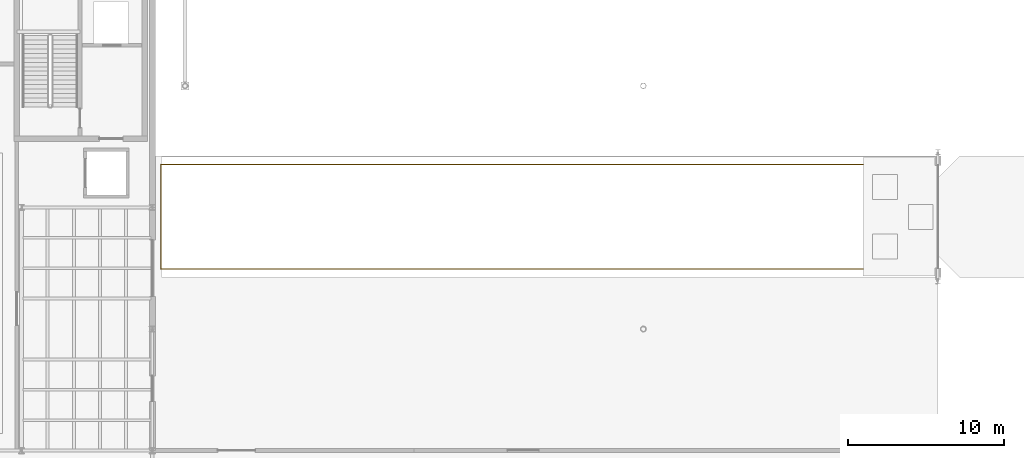
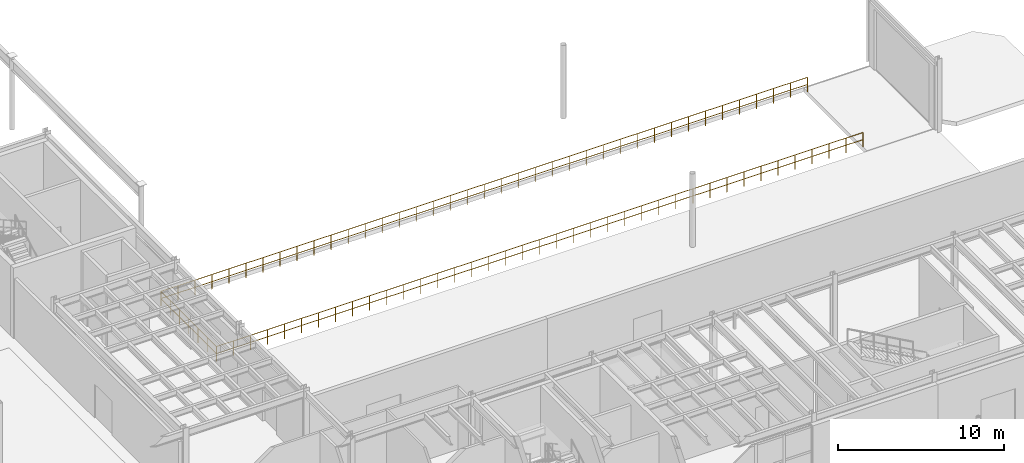
# One storey, part 83 of 87: 3 railings.
"""IFC4 building model written with IfcOpenShell, lengths in metres."""

from ifc_helpers import new_model, si_unit, direction, frame, origin, origin_2d, place, context, subcontext, project, spatial, circle, extrude, material, layer, layer_set, type_object, element, save


model = new_model("IFC4")

# Units and contexts
model_context = context("Model", 3, precision=1e-05, world=origin(), true_north=direction((0.0, 1.0)))
body_context = subcontext(model_context, "Body", "Model", "MODEL_VIEW")
ifc_project = project(units=[si_unit("LENGTHUNIT", "METRE"), si_unit("AREAUNIT", "SQUARE_METRE"), si_unit("VOLUMEUNIT", "CUBIC_METRE"), si_unit("PLANEANGLEUNIT", "RADIAN"), si_unit("MASSUNIT", "GRAM", prefix="KILO")], contexts=[model_context])

# Site, building, storey
site_placement = place(None, origin())
site = spatial("IfcSite", under=ifc_project, at=site_placement, CompositionType="ELEMENT")
building_placement = place(site_placement, origin())
building = spatial("IfcBuilding", under=site, at=building_placement, Name="Selat Folded Stagehouse", CompositionType="ELEMENT")
storey_placement = place(building_placement, origin())
storey = spatial("IfcBuildingStorey", under=building, at=storey_placement, Name="L00", CompositionType="ELEMENT", Elevation=0.0)

# Railings
ifc_material = material(Name="Stainless steel and laminated glass", Category="steel")
ifc_layer = layer(ifc_material, 0.06005859375)
ifc_layer_set = layer_set([ifc_layer], Name="Stainless steel and laminated glass")
railing_type = type_object("IfcRailingType", Name="RLG-GUARD-1100", PredefinedType="GUARDRAIL", material=ifc_layer_set)
railing_1_placement = place(storey_placement, frame((112.800048828125, 41.75, 0.0)))
element("IfcRailing", 1, at=railing_1_placement, inside=storey, type_object=railing_type, Name="L00 protective guard railing 031", PredefinedType="GUARDRAIL", context=body_context, shape_type="SweptSolid", body=[
    extrude(circle(Radius=0.02392578125, at=origin_2d()), frame((0.0, 0.0, 1.076171875), z_axis=(-1.0, 0.0, 0.0), x_axis=(0.0, -1.0, 0.0)), (0.0, 0.0, 1.0), 45.050048828125),
    extrude(circle(Radius=0.02392578125, at=origin_2d()), frame((0.0, 0.0, 0.550048828125), z_axis=(-1.0, 0.0, 0.0), x_axis=(0.0, -1.0, 0.0)), (0.0, 0.0, 1.0), 45.050048828125),
    extrude(circle(Radius=0.02099609375, at=origin_2d()), origin(), (0.0, 0.0, 1.0), 1.052001953125),
    extrude(circle(Radius=0.02099609375, at=origin_2d()), frame((-1.185546875, 0.0, 0.0)), (0.0, 0.0, 1.0), 1.052001953125),
    extrude(circle(Radius=0.02099609375, at=origin_2d()), frame((-2.37109375, 0.0, 0.0)), (0.0, 0.0, 1.0), 1.052001953125),
    extrude(circle(Radius=0.02099609375, at=origin_2d()), frame((-3.556640625, 0.0, 0.0)), (0.0, 0.0, 1.0), 1.052001953125),
    extrude(circle(Radius=0.02099609375, at=origin_2d()), frame((-4.7421875, 0.0, 0.0)), (0.0, 0.0, 1.0), 1.052001953125),
    extrude(circle(Radius=0.02099609375, at=origin_2d()), frame((-5.927734375, 0.0, 0.0)), (0.0, 0.0, 1.0), 1.052001953125),
    extrude(circle(Radius=0.02099609375, at=origin_2d()), frame((-7.11328125, 0.0, 0.0)), (0.0, 0.0, 1.0), 1.052001953125),
    extrude(circle(Radius=0.02099609375, at=origin_2d()), frame((-8.298583984375, 0.0, 0.0)), (0.0, 0.0, 1.0), 1.052001953125),
    extrude(circle(Radius=0.02099609375, at=origin_2d()), frame((-9.484130859375, 0.0, 0.0)), (0.0, 0.0, 1.0), 1.052001953125),
    extrude(circle(Radius=0.02099609375, at=origin_2d()), frame((-10.669677734375, 0.0, 0.0)), (0.0, 0.0, 1.0), 1.052001953125),
    extrude(circle(Radius=0.02099609375, at=origin_2d()), frame((-11.855224609375, 0.0, 0.0)), (0.0, 0.0, 1.0), 1.052001953125),
    extrude(circle(Radius=0.02099609375, at=origin_2d()), frame((-13.040771484375, 0.0, 0.0)), (0.0, 0.0, 1.0), 1.052001953125),
    extrude(circle(Radius=0.02099609375, at=origin_2d()), frame((-14.226318359375, 0.0, 0.0)), (0.0, 0.0, 1.0), 1.052001953125),
    extrude(circle(Radius=0.02099609375, at=origin_2d()), frame((-15.411865234375, 0.0, 0.0)), (0.0, 0.0, 1.0), 1.052001953125),
    extrude(circle(Radius=0.02099609375, at=origin_2d()), frame((-16.597412109375, 0.0, 0.0)), (0.0, 0.0, 1.0), 1.052001953125),
    extrude(circle(Radius=0.02099609375, at=origin_2d()), frame((-17.782958984375, 0.0, 0.0)), (0.0, 0.0, 1.0), 1.052001953125),
    extrude(circle(Radius=0.02099609375, at=origin_2d()), frame((-18.968505859375, 0.0, 0.0)), (0.0, 0.0, 1.0), 1.052001953125),
    extrude(circle(Radius=0.02099609375, at=origin_2d()), frame((-20.154052734375, 0.0, 0.0)), (0.0, 0.0, 1.0), 1.052001953125),
    extrude(circle(Radius=0.02099609375, at=origin_2d()), frame((-21.339599609375, 0.0, 0.0)), (0.0, 0.0, 1.0), 1.052001953125),
    extrude(circle(Radius=0.02099609375, at=origin_2d()), frame((-22.52490234375, 0.0, 0.0)), (0.0, 0.0, 1.0), 1.052001953125),
    extrude(circle(Radius=0.02099609375, at=origin_2d()), frame((-23.71044921875, 0.0, 0.0)), (0.0, 0.0, 1.0), 1.052001953125),
    extrude(circle(Radius=0.02099609375, at=origin_2d()), frame((-24.89599609375, 0.0, 0.0)), (0.0, 0.0, 1.0), 1.052001953125),
    extrude(circle(Radius=0.02099609375, at=origin_2d()), frame((-26.08154296875, 0.0, 0.0)), (0.0, 0.0, 1.0), 1.052001953125),
    extrude(circle(Radius=0.02099609375, at=origin_2d()), frame((-27.26708984375, 0.0, 0.0)), (0.0, 0.0, 1.0), 1.052001953125),
    extrude(circle(Radius=0.02099609375, at=origin_2d()), frame((-28.45263671875, 0.0, 0.0)), (0.0, 0.0, 1.0), 1.052001953125),
    extrude(circle(Radius=0.02099609375, at=origin_2d()), frame((-29.63818359375, 0.0, 0.0)), (0.0, 0.0, 1.0), 1.052001953125),
    extrude(circle(Radius=0.02099609375, at=origin_2d()), frame((-30.82373046875, 0.0, 0.0)), (0.0, 0.0, 1.0), 1.052001953125),
    extrude(circle(Radius=0.02099609375, at=origin_2d()), frame((-32.00927734375, 0.0, 0.0)), (0.0, 0.0, 1.0), 1.052001953125),
    extrude(circle(Radius=0.02099609375, at=origin_2d()), frame((-33.19482421875, 0.0, 0.0)), (0.0, 0.0, 1.0), 1.052001953125),
    extrude(circle(Radius=0.02099609375, at=origin_2d()), frame((-34.38037109375, 0.0, 0.0)), (0.0, 0.0, 1.0), 1.052001953125),
    extrude(circle(Radius=0.02099609375, at=origin_2d()), frame((-35.56591796875, 0.0, 0.0)), (0.0, 0.0, 1.0), 1.052001953125),
    extrude(circle(Radius=0.02099609375, at=origin_2d()), frame((-36.75146484375, 0.0, 0.0)), (0.0, 0.0, 1.0), 1.052001953125),
    extrude(circle(Radius=0.02099609375, at=origin_2d()), frame((-37.936767578125, 0.0, 0.0)), (0.0, 0.0, 1.0), 1.052001953125),
    extrude(circle(Radius=0.02099609375, at=origin_2d()), frame((-39.122314453125, 0.0, 0.0)), (0.0, 0.0, 1.0), 1.052001953125),
    extrude(circle(Radius=0.02099609375, at=origin_2d()), frame((-40.307861328125, 0.0, 0.0)), (0.0, 0.0, 1.0), 1.052001953125),
    extrude(circle(Radius=0.02099609375, at=origin_2d()), frame((-41.493408203125, 0.0, 0.0)), (0.0, 0.0, 1.0), 1.052001953125),
    extrude(circle(Radius=0.02099609375, at=origin_2d()), frame((-42.678955078125, 0.0, 0.0)), (0.0, 0.0, 1.0), 1.052001953125),
    extrude(circle(Radius=0.02099609375, at=origin_2d()), frame((-43.864501953125, 0.0, 0.0)), (0.0, 0.0, 1.0), 1.052001953125),
    extrude(circle(Radius=0.02099609375, at=origin_2d()), frame((-45.050048828125, 0.0, 0.0)), (0.0, 0.0, 1.0), 1.052001953125),
])
railing_2_placement = place(storey_placement, frame((67.75, 41.75, 0.0)))
element("IfcRailing", 2, at=railing_2_placement, inside=storey, type_object=railing_type, Name="L00 protective guard railing 032", PredefinedType="GUARDRAIL", context=body_context, shape_type="SweptSolid", body=[
    extrude(circle(Radius=0.02392578125, at=origin_2d()), frame((0.0, 0.0, 1.076171875), z_axis=(0.0, -1.0, 0.0), x_axis=(1.0, 0.0, 0.0)), (0.0, 0.0, 1.0), 6.699951171875),
    extrude(circle(Radius=0.02392578125, at=origin_2d()), frame((0.0, 0.0, 0.550048828125), z_axis=(0.0, -1.0, 0.0), x_axis=(1.0, 0.0, 0.0)), (0.0, 0.0, 1.0), 6.699951171875),
    extrude(circle(Radius=0.02099609375, at=origin_2d()), origin(), (0.0, 0.0, 1.0), 1.052001953125),
    extrude(circle(Radius=0.02099609375, at=origin_2d()), frame((0.0, -1.11669921875, 0.0)), (0.0, 0.0, 1.0), 1.052001953125),
    extrude(circle(Radius=0.02099609375, at=origin_2d()), frame((0.0, -2.2333984375, 0.0)), (0.0, 0.0, 1.0), 1.052001953125),
    extrude(circle(Radius=0.02099609375, at=origin_2d()), frame((0.0, -3.35009765625, 0.0)), (0.0, 0.0, 1.0), 1.052001953125),
    extrude(circle(Radius=0.02099609375, at=origin_2d()), frame((0.0, -4.466552734375, 0.0)), (0.0, 0.0, 1.0), 1.052001953125),
    extrude(circle(Radius=0.02099609375, at=origin_2d()), frame((0.0, -5.583251953125, 0.0)), (0.0, 0.0, 1.0), 1.052001953125),
    extrude(circle(Radius=0.02099609375, at=origin_2d()), frame((0.0, -6.699951171875, 0.0)), (0.0, 0.0, 1.0), 1.052001953125),
])
railing_3_placement = place(storey_placement, frame((67.75, 35.050048828125, 0.0)))
element("IfcRailing", 3, at=railing_3_placement, inside=storey, type_object=railing_type, Name="L00 protective guard railing 033", PredefinedType="GUARDRAIL", context=body_context, shape_type="SweptSolid", body=[
    extrude(circle(Radius=0.02392578125, at=origin_2d()), frame((0.0, 0.0, 1.076171875), z_axis=(1.0, 0.0, 0.0), x_axis=(0.0, 1.0, 0.0)), (0.0, 0.0, 1.0), 45.050048828125),
    extrude(circle(Radius=0.02392578125, at=origin_2d()), frame((0.0, 0.0, 0.550048828125), z_axis=(1.0, 0.0, 0.0), x_axis=(0.0, 1.0, 0.0)), (0.0, 0.0, 1.0), 45.050048828125),
    extrude(circle(Radius=0.02099609375, at=origin_2d()), origin(), (0.0, 0.0, 1.0), 1.052001953125),
    extrude(circle(Radius=0.02099609375, at=origin_2d()), frame((1.185546875, 0.0, 0.0)), (0.0, 0.0, 1.0), 1.052001953125),
    extrude(circle(Radius=0.02099609375, at=origin_2d()), frame((2.37109375, 0.0, 0.0)), (0.0, 0.0, 1.0), 1.052001953125),
    extrude(circle(Radius=0.02099609375, at=origin_2d()), frame((3.556640625, 0.0, 0.0)), (0.0, 0.0, 1.0), 1.052001953125),
    extrude(circle(Radius=0.02099609375, at=origin_2d()), frame((4.7421875, 0.0, 0.0)), (0.0, 0.0, 1.0), 1.052001953125),
    extrude(circle(Radius=0.02099609375, at=origin_2d()), frame((5.927734375, 0.0, 0.0)), (0.0, 0.0, 1.0), 1.052001953125),
    extrude(circle(Radius=0.02099609375, at=origin_2d()), frame((7.11328125, 0.0, 0.0)), (0.0, 0.0, 1.0), 1.052001953125),
    extrude(circle(Radius=0.02099609375, at=origin_2d()), frame((8.298583984375, 0.0, 0.0)), (0.0, 0.0, 1.0), 1.052001953125),
    extrude(circle(Radius=0.02099609375, at=origin_2d()), frame((9.484130859375, 0.0, 0.0)), (0.0, 0.0, 1.0), 1.052001953125),
    extrude(circle(Radius=0.02099609375, at=origin_2d()), frame((10.669677734375, 0.0, 0.0)), (0.0, 0.0, 1.0), 1.052001953125),
    extrude(circle(Radius=0.02099609375, at=origin_2d()), frame((11.855224609375, 0.0, 0.0)), (0.0, 0.0, 1.0), 1.052001953125),
    extrude(circle(Radius=0.02099609375, at=origin_2d()), frame((13.040771484375, 0.0, 0.0)), (0.0, 0.0, 1.0), 1.052001953125),
    extrude(circle(Radius=0.02099609375, at=origin_2d()), frame((14.226318359375, 0.0, 0.0)), (0.0, 0.0, 1.0), 1.052001953125),
    extrude(circle(Radius=0.02099609375, at=origin_2d()), frame((15.411865234375, 0.0, 0.0)), (0.0, 0.0, 1.0), 1.052001953125),
    extrude(circle(Radius=0.02099609375, at=origin_2d()), frame((16.597412109375, 0.0, 0.0)), (0.0, 0.0, 1.0), 1.052001953125),
    extrude(circle(Radius=0.02099609375, at=origin_2d()), frame((17.782958984375, 0.0, 0.0)), (0.0, 0.0, 1.0), 1.052001953125),
    extrude(circle(Radius=0.02099609375, at=origin_2d()), frame((18.968505859375, 0.0, 0.0)), (0.0, 0.0, 1.0), 1.052001953125),
    extrude(circle(Radius=0.02099609375, at=origin_2d()), frame((20.154052734375, 0.0, 0.0)), (0.0, 0.0, 1.0), 1.052001953125),
    extrude(circle(Radius=0.02099609375, at=origin_2d()), frame((21.339599609375, 0.0, 0.0)), (0.0, 0.0, 1.0), 1.052001953125),
    extrude(circle(Radius=0.02099609375, at=origin_2d()), frame((22.52490234375, 0.0, 0.0)), (0.0, 0.0, 1.0), 1.052001953125),
    extrude(circle(Radius=0.02099609375, at=origin_2d()), frame((23.71044921875, 0.0, 0.0)), (0.0, 0.0, 1.0), 1.052001953125),
    extrude(circle(Radius=0.02099609375, at=origin_2d()), frame((24.89599609375, 0.0, 0.0)), (0.0, 0.0, 1.0), 1.052001953125),
    extrude(circle(Radius=0.02099609375, at=origin_2d()), frame((26.08154296875, 0.0, 0.0)), (0.0, 0.0, 1.0), 1.052001953125),
    extrude(circle(Radius=0.02099609375, at=origin_2d()), frame((27.26708984375, 0.0, 0.0)), (0.0, 0.0, 1.0), 1.052001953125),
    extrude(circle(Radius=0.02099609375, at=origin_2d()), frame((28.45263671875, 0.0, 0.0)), (0.0, 0.0, 1.0), 1.052001953125),
    extrude(circle(Radius=0.02099609375, at=origin_2d()), frame((29.63818359375, 0.0, 0.0)), (0.0, 0.0, 1.0), 1.052001953125),
    extrude(circle(Radius=0.02099609375, at=origin_2d()), frame((30.82373046875, 0.0, 0.0)), (0.0, 0.0, 1.0), 1.052001953125),
    extrude(circle(Radius=0.02099609375, at=origin_2d()), frame((32.00927734375, 0.0, 0.0)), (0.0, 0.0, 1.0), 1.052001953125),
    extrude(circle(Radius=0.02099609375, at=origin_2d()), frame((33.19482421875, 0.0, 0.0)), (0.0, 0.0, 1.0), 1.052001953125),
    extrude(circle(Radius=0.02099609375, at=origin_2d()), frame((34.38037109375, 0.0, 0.0)), (0.0, 0.0, 1.0), 1.052001953125),
    extrude(circle(Radius=0.02099609375, at=origin_2d()), frame((35.56591796875, 0.0, 0.0)), (0.0, 0.0, 1.0), 1.052001953125),
    extrude(circle(Radius=0.02099609375, at=origin_2d()), frame((36.75146484375, 0.0, 0.0)), (0.0, 0.0, 1.0), 1.052001953125),
    extrude(circle(Radius=0.02099609375, at=origin_2d()), frame((37.936767578125, 0.0, 0.0)), (0.0, 0.0, 1.0), 1.052001953125),
    extrude(circle(Radius=0.02099609375, at=origin_2d()), frame((39.122314453125, 0.0, 0.0)), (0.0, 0.0, 1.0), 1.052001953125),
    extrude(circle(Radius=0.02099609375, at=origin_2d()), frame((40.307861328125, 0.0, 0.0)), (0.0, 0.0, 1.0), 1.052001953125),
    extrude(circle(Radius=0.02099609375, at=origin_2d()), frame((41.493408203125, 0.0, 0.0)), (0.0, 0.0, 1.0), 1.052001953125),
    extrude(circle(Radius=0.02099609375, at=origin_2d()), frame((42.678955078125, 0.0, 0.0)), (0.0, 0.0, 1.0), 1.052001953125),
    extrude(circle(Radius=0.02099609375, at=origin_2d()), frame((43.864501953125, 0.0, 0.0)), (0.0, 0.0, 1.0), 1.052001953125),
    extrude(circle(Radius=0.02099609375, at=origin_2d()), frame((45.050048828125, 0.0, 0.0)), (0.0, 0.0, 1.0), 1.052001953125),
])

save(model, "model.ifc")
